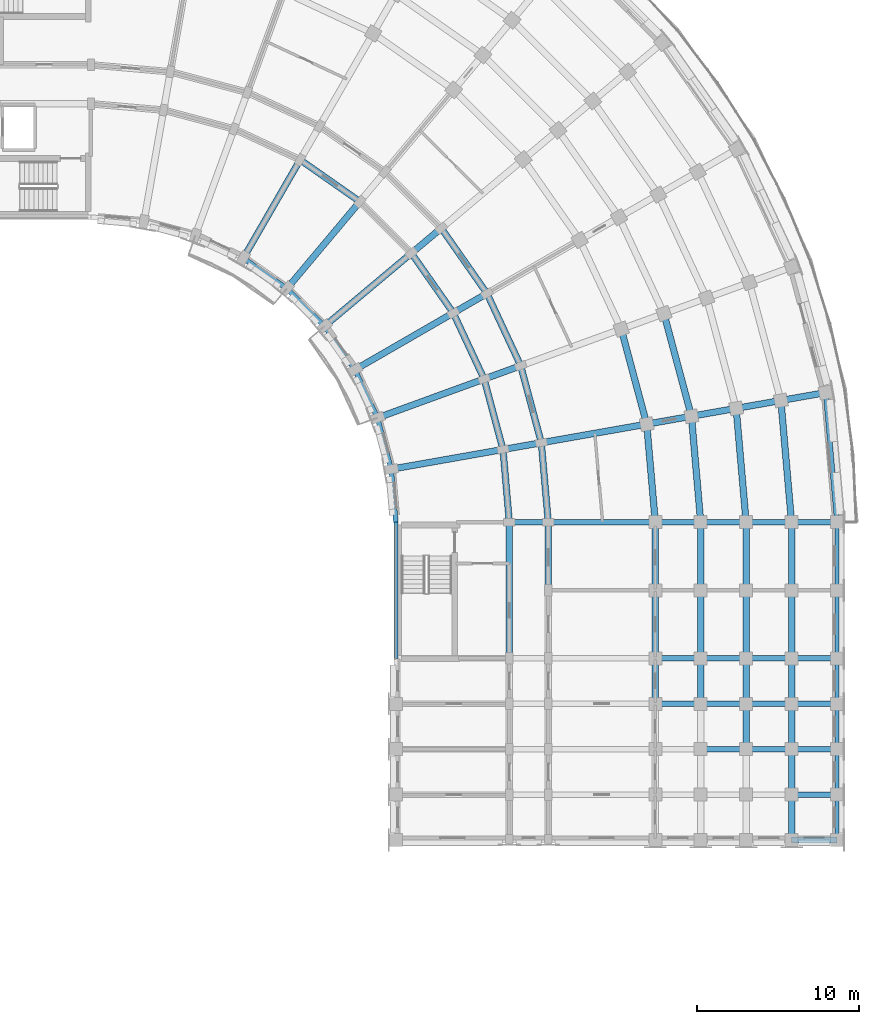
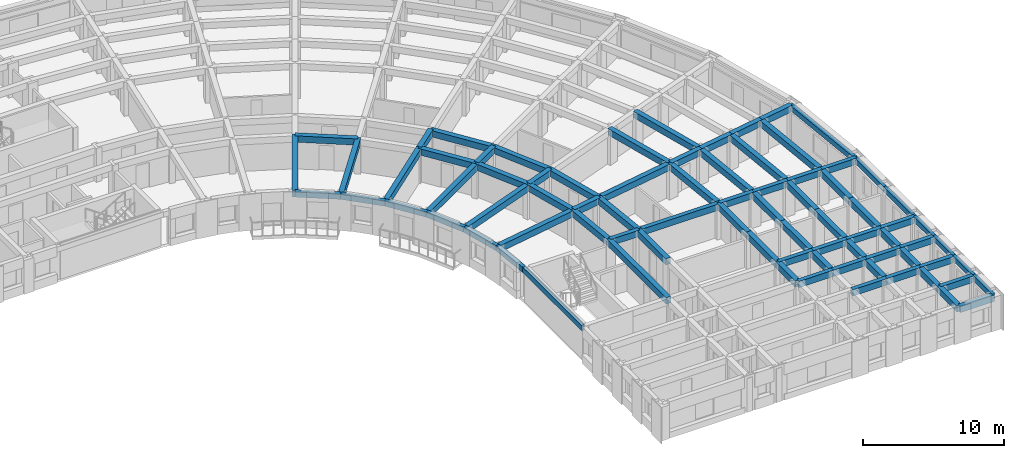
# One storey, part 11 of 54: 81 beams.
"""IFC4 building model written with IfcOpenShell, lengths in metres."""

from ifc_helpers import new_model, si_unit, direction, frame, origin, origin_2d, place, context, subcontext, project, spatial, rectangle, extrude, material, material_profile, profile_set, type_object, element, save


model = new_model("IFC4")

# Units and contexts
model_context = context("Model", 3, precision=1e-05, world=origin(), true_north=direction((0.0, 1.0)))
body_context = subcontext(model_context, "Body", "Model", "MODEL_VIEW")
ifc_project = project(units=[si_unit("LENGTHUNIT", "METRE"), si_unit("AREAUNIT", "SQUARE_METRE"), si_unit("VOLUMEUNIT", "CUBIC_METRE"), si_unit("PLANEANGLEUNIT", "RADIAN"), si_unit("MASSUNIT", "GRAM", prefix="KILO")], contexts=[model_context])

# Site, building, storey
site_placement = place(None, origin())
site = spatial("IfcSite", under=ifc_project, at=site_placement, CompositionType="ELEMENT")
building_placement = place(site_placement, origin())
building = spatial("IfcBuilding", under=site, at=building_placement, Name="Kiranvali Square Residences", CompositionType="ELEMENT")
storey_placement = place(building_placement, frame((0.0, 0.0, 15.0)))
storey = spatial("IfcBuildingStorey", under=building, at=storey_placement, Name="L04", CompositionType="ELEMENT", Elevation=15.0)

# Beams
ifc_material_1 = material(Name="Concrete M40 (40 MPa)", Category="concrete")
ifc_material_profile_1 = material_profile(ifc_material_1, rectangle(XDim=0.35009765625, YDim=0.550048828125, at=origin_2d()), Name="RC 350x550")
ifc_profile_set_1 = profile_set([ifc_material_profile_1], Name="Concrete M40 (40 MPa)")
beam_type_1 = type_object("IfcBeamType", Name="BM-M40-350x550", PredefinedType="BEAM", material=ifc_profile_set_1)
beam_1_placement = place(storey_placement, frame((145.60009765625, 87.800048828125, 2.655029296875), z_axis=(1.0, 0.0, 0.0), x_axis=(0.0, 1.0, 0.0)))
element("IfcBeam", 1, at=beam_1_placement, inside=storey, type_object=beam_type_1, Name="L04 beam BM-B-L04-A2T0-12", PredefinedType="BEAM", context=body_context, shape_type="SweptSolid", body=[
    extrude(rectangle(XDim=0.35009765625, YDim=0.550048828125, at=origin_2d()), origin(), (0.0, 0.0, 1.0), 2.39990234375),
])
beam_2_placement = place(storey_placement, frame((148.0, 87.800048828125, 2.655029296875), z_axis=(1.0, 0.0, 0.0), x_axis=(0.0, 1.0, 0.0)))
element("IfcBeam", 2, at=beam_2_placement, inside=storey, type_object=beam_type_1, Name="L04 beam BM-B-L04-A2T0-23", PredefinedType="BEAM", context=body_context, shape_type="SweptSolid", body=[
    extrude(rectangle(XDim=0.35009765625, YDim=0.550048828125, at=origin_2d()), origin(), (0.0, 0.0, 1.0), 6.60009765625),
])
beam_3_placement = place(storey_placement, frame((154.60009765625, 87.800048828125, 2.655029296875), z_axis=(1.0, 0.0, 0.0), x_axis=(0.0, 1.0, 0.0)))
element("IfcBeam", 3, at=beam_3_placement, inside=storey, type_object=beam_type_1, Name="L04 beam BM-B-L04-A2T0-34", PredefinedType="BEAM", context=body_context, shape_type="SweptSolid", body=[
    extrude(rectangle(XDim=0.35009765625, YDim=0.550048828125, at=origin_2d()), origin(), (0.0, 0.0, 1.0), 2.7998046875),
])
for number, where, z_axis, x_axis, name in (
    (4, (157.39990234375, 87.800048828125, 2.655029296875), (1.0, 0.0, 0.0), (0.0, 1.0, 0.0), "L04 beam BM-B-L04-A2T0-45"),
    (5, (160.199951171875, 87.800048828125, 2.655029296875), (1.0, 0.0, 0.0), (0.0, 1.0, 0.0), "L04 beam BM-B-L04-A2T0-56"),
    (6, (163.0, 87.800048828125, 2.655029296875), (1.0, 0.0, 0.0), (0.0, 1.0, 0.0), "L04 beam BM-B-L04-A2T0-67"),
):
    element("IfcBeam", number, at=place(storey_placement, frame(where, z_axis=z_axis, x_axis=x_axis)), inside=storey, type_object=beam_type_1, Name=name, PredefinedType="BEAM", context=body_context, shape_type="SweptSolid", body=[
        extrude(rectangle(XDim=0.35009765625, YDim=0.550048828125, at=origin_2d()), origin(), (0.0, 0.0, 1.0), 2.800048828125),
    ])
beam_4_placement = place(storey_placement, frame((154.60009765625, 79.39990234375, 2.655029296875), z_axis=(1.0, 0.0, 0.0), x_axis=(0.0, 1.0, 0.0)))
element("IfcBeam", 7, at=beam_4_placement, inside=storey, type_object=beam_type_1, Name="L04 beam BM-B-L04-A2T1-34", PredefinedType="BEAM", context=body_context, shape_type="SweptSolid", body=[
    extrude(rectangle(XDim=0.35009765625, YDim=0.550048828125, at=origin_2d()), origin(), (0.0, 0.0, 1.0), 2.7998046875),
])
for number, where, z_axis, x_axis, name in (
    (8, (157.39990234375, 79.39990234375, 2.655029296875), (1.0, 0.0, 0.0), (0.0, 1.0, 0.0), "L04 beam BM-B-L04-A2T1-45"),
    (9, (160.199951171875, 79.39990234375, 2.655029296875), (1.0, 0.0, 0.0), (0.0, 1.0, 0.0), "L04 beam BM-B-L04-A2T1-56"),
    (10, (163.0, 79.39990234375, 2.655029296875), (1.0, 0.0, 0.0), (0.0, 1.0, 0.0), "L04 beam BM-B-L04-A2T1-67"),
):
    element("IfcBeam", number, at=place(storey_placement, frame(where, z_axis=z_axis, x_axis=x_axis)), inside=storey, type_object=beam_type_1, Name=name, PredefinedType="BEAM", context=body_context, shape_type="SweptSolid", body=[
        extrude(rectangle(XDim=0.35009765625, YDim=0.550048828125, at=origin_2d()), origin(), (0.0, 0.0, 1.0), 2.800048828125),
    ])
beam_5_placement = place(storey_placement, frame((154.60009765625, 76.60009765625, 2.655029296875), z_axis=(1.0, 0.0, 0.0), x_axis=(0.0, 1.0, 0.0)))
element("IfcBeam", 11, at=beam_5_placement, inside=storey, type_object=beam_type_1, Name="L04 beam BM-B-L04-A2T2-34", PredefinedType="BEAM", context=body_context, shape_type="SweptSolid", body=[
    extrude(rectangle(XDim=0.35009765625, YDim=0.550048828125, at=origin_2d()), origin(), (0.0, 0.0, 1.0), 2.7998046875),
])
for number, where, z_axis, x_axis, name in (
    (12, (157.39990234375, 76.60009765625, 2.655029296875), (1.0, 0.0, 0.0), (0.0, 1.0, 0.0), "L04 beam BM-B-L04-A2T2-45"),
    (13, (160.199951171875, 76.60009765625, 2.655029296875), (1.0, 0.0, 0.0), (0.0, 1.0, 0.0), "L04 beam BM-B-L04-A2T2-56"),
    (14, (163.0, 76.60009765625, 2.655029296875), (1.0, 0.0, 0.0), (0.0, 1.0, 0.0), "L04 beam BM-B-L04-A2T2-67"),
    (15, (157.39990234375, 73.800048828125, 2.655029296875), (1.0, 0.0, 0.0), (0.0, 1.0, 0.0), "L04 beam BM-B-L04-A2T3-45"),
    (16, (160.199951171875, 73.800048828125, 2.655029296875), (1.0, 0.0, 0.0), (0.0, 1.0, 0.0), "L04 beam BM-B-L04-A2T3-56"),
    (17, (163.0, 73.800048828125, 2.655029296875), (1.0, 0.0, 0.0), (0.0, 1.0, 0.0), "L04 beam BM-B-L04-A2T3-67"),
    (18, (163.0, 71.0, 2.655029296875), (1.0, 0.0, 0.0), (0.0, 1.0, 0.0), "L04 beam BM-B-L04-A2T4-67"),
    (19, (163.0, 68.199951171875, 2.655029296875), (1.0, 0.0, 0.0), (0.0, 1.0, 0.0), "L04 beam BM-B-L04-A2T5-67"),
):
    element("IfcBeam", number, at=place(storey_placement, frame(where, z_axis=z_axis, x_axis=x_axis)), inside=storey, type_object=beam_type_1, Name=name, PredefinedType="BEAM", context=body_context, shape_type="SweptSolid", body=[
        extrude(rectangle(XDim=0.35009765625, YDim=0.550048828125, at=origin_2d()), origin(), (0.0, 0.0, 1.0), 2.800048828125),
    ])
ifc_material_2 = material(Name="Concrete M45 (45 MPa)", Category="concrete")
ifc_material_profile_2 = material_profile(ifc_material_2, rectangle(XDim=0.39990234375, YDim=0.550048828125, at=origin_2d()), Name="RC 400x550")
ifc_profile_set_2 = profile_set([ifc_material_profile_2], Name="Concrete M45 (45 MPa)")
beam_type_2 = type_object("IfcBeamType", Name="BM-M45-400x550", PredefinedType="BEAM", material=ifc_profile_set_2)
for number, where, z_axis, x_axis, name in (
    (20, (132.699951171875, 110.1435546875, 2.655029296875), (0.819155404658, -0.573571637217, 0.0), (0.573571637217, 0.819155404658, 0.0), "L04 beam BM-B-L04-C03-R1"),
    (21, (139.56396484375, 104.384033203125, 2.655029296875), (0.573571637217, -0.819155404658, 0.0), (0.819155404658, 0.573571637217, 0.0), "L04 beam BM-B-L04-C05-R1"),
):
    element("IfcBeam", number, at=place(storey_placement, frame(where, z_axis=z_axis, x_axis=x_axis)), inside=storey, type_object=beam_type_2, Name=name, PredefinedType="BEAM", context=body_context, shape_type="SweptSolid", body=[
        extrude(rectangle(XDim=0.39990234375, YDim=0.550048828125, at=origin_2d()), origin(), (0.0, 0.0, 1.0), 4.497314453125),
    ])
beam_6_placement = place(storey_placement, frame((141.40234375, 105.926513671875, 2.655029296875), z_axis=(0.573592335331, -0.819140911474, 0.0), x_axis=(0.819140911474, 0.573592335331, 0.0)))
element("IfcBeam", 22, at=beam_6_placement, inside=storey, type_object=beam_type_2, Name="L04 beam BM-B-L04-C05-R2", PredefinedType="BEAM", context=body_context, shape_type="SweptSolid", body=[
    extrude(rectangle(XDim=0.39990234375, YDim=0.550048828125, at=origin_2d()), origin(), (0.0, 0.0, 1.0), 4.915771484375),
])
beam_7_placement = place(storey_placement, frame((142.1435546875, 100.699951171875, 2.655029296875), z_axis=(0.422617978463, -0.906307919131, 0.0), x_axis=(0.906307919131, 0.422617978463, 0.0)))
element("IfcBeam", 23, at=beam_7_placement, inside=storey, type_object=beam_type_2, Name="L04 beam BM-B-L04-C06-R1", PredefinedType="BEAM", context=body_context, shape_type="SweptSolid", body=[
    extrude(rectangle(XDim=0.39990234375, YDim=0.550048828125, at=origin_2d()), origin(), (0.0, 0.0, 1.0), 4.497314453125),
])
beam_8_placement = place(storey_placement, frame((144.221923828125, 101.89990234375, 2.655029296875), z_axis=(0.422629854778, -0.906302381024, 0.0), x_axis=(0.906302381024, 0.422629854778, 0.0)))
element("IfcBeam", 24, at=beam_8_placement, inside=storey, type_object=beam_type_2, Name="L04 beam BM-B-L04-C06-R2", PredefinedType="BEAM", context=body_context, shape_type="SweptSolid", body=[
    extrude(rectangle(XDim=0.39990234375, YDim=0.550048828125, at=origin_2d()), origin(), (0.0, 0.0, 1.0), 4.915283203125),
])
beam_9_placement = place(storey_placement, frame((144.044189453125, 96.6240234375, 2.655029296875), z_axis=(0.258787642463, -0.965934240054, 0.0), x_axis=(0.965934240054, 0.258787642463, 0.0)))
element("IfcBeam", 25, at=beam_9_placement, inside=storey, type_object=beam_type_2, Name="L04 beam BM-B-L04-C07-R1", PredefinedType="BEAM", context=body_context, shape_type="SweptSolid", body=[
    extrude(rectangle(XDim=0.39990234375, YDim=0.550048828125, at=origin_2d()), origin(), (0.0, 0.0, 1.0), 4.497314453125),
])
beam_10_placement = place(storey_placement, frame((146.29931640625, 97.445068359375, 2.655029296875), z_axis=(0.258803112091, -0.965930095386, 0.0), x_axis=(0.965930095386, 0.258803112091, 0.0)))
element("IfcBeam", 26, at=beam_10_placement, inside=storey, type_object=beam_type_2, Name="L04 beam BM-B-L04-C07-R2", PredefinedType="BEAM", context=body_context, shape_type="SweptSolid", body=[
    extrude(rectangle(XDim=0.39990234375, YDim=0.550048828125, at=origin_2d()), origin(), (0.0, 0.0, 1.0), 4.915771484375),
])
beam_11_placement = place(storey_placement, frame((152.501220703125, 99.702392578125, 2.655029296875), z_axis=(0.258827283048, -0.965923618901, 0.0), x_axis=(0.965923618901, 0.258827283048, 0.0)))
element("IfcBeam", 27, at=beam_11_placement, inside=storey, type_object=beam_type_2, Name="L04 beam BM-B-L04-C07-R3", PredefinedType="BEAM", context=body_context, shape_type="SweptSolid", body=[
    extrude(rectangle(XDim=0.39990234375, YDim=0.550048828125, at=origin_2d()), origin(), (0.0, 0.0, 1.0), 6.066162109375),
])
beam_12_placement = place(storey_placement, frame((155.13232421875, 100.659912109375, 2.655029296875), z_axis=(0.258847178297, -0.965918287583, 0.0), x_axis=(0.965918287583, 0.258847178297, 0.0)))
element("IfcBeam", 28, at=beam_12_placement, inside=storey, type_object=beam_type_2, Name="L04 beam BM-B-L04-C07-R4", PredefinedType="BEAM", context=body_context, shape_type="SweptSolid", body=[
    extrude(rectangle(XDim=0.39990234375, YDim=0.550048828125, at=origin_2d()), origin(), (0.0, 0.0, 1.0), 6.55419921875),
])
beam_13_placement = place(storey_placement, frame((145.2080078125, 92.280029296875, 2.655029296875), z_axis=(0.087187153726, -0.996191949488, 0.0), x_axis=(0.996191949488, 0.087187153726, 0.0)))
element("IfcBeam", 29, at=beam_13_placement, inside=storey, type_object=beam_type_2, Name="L04 beam BM-B-L04-C08-R1", PredefinedType="BEAM", context=body_context, shape_type="SweptSolid", body=[
    extrude(rectangle(XDim=0.39990234375, YDim=0.550048828125, at=origin_2d()), origin(), (0.0, 0.0, 1.0), 4.4970703125),
])
beam_14_placement = place(storey_placement, frame((147.571533203125, 92.69677734375, 2.655029296875), z_axis=(0.087167566415, -0.996193663584, 0.0), x_axis=(0.996193663584, 0.087167566415, 0.0)))
element("IfcBeam", 30, at=beam_14_placement, inside=storey, type_object=beam_type_2, Name="L04 beam BM-B-L04-C08-R2", PredefinedType="BEAM", context=body_context, shape_type="SweptSolid", body=[
    extrude(rectangle(XDim=0.39990234375, YDim=0.550048828125, at=origin_2d()), origin(), (0.0, 0.0, 1.0), 4.91552734375),
])
beam_15_placement = place(storey_placement, frame((154.0712890625, 93.843017578125, 2.655029296875), z_axis=(0.087174938512, -0.996193018494, 0.0), x_axis=(0.996193018494, 0.087174938512, 0.0)))
element("IfcBeam", 31, at=beam_15_placement, inside=storey, type_object=beam_type_2, Name="L04 beam BM-B-L04-C08-R3", PredefinedType="BEAM", context=body_context, shape_type="SweptSolid", body=[
    extrude(rectangle(XDim=0.39990234375, YDim=0.550048828125, at=origin_2d()), origin(), (0.0, 0.0, 1.0), 6.066162109375),
])
beam_16_placement = place(storey_placement, frame((156.828857421875, 94.3291015625, 2.655029296875), z_axis=(0.0871295204, -0.996196991902, 0.0), x_axis=(0.996196991902, 0.0871295204, 0.0)))
element("IfcBeam", 32, at=beam_16_placement, inside=storey, type_object=beam_type_2, Name="L04 beam BM-B-L04-C08-R4", PredefinedType="BEAM", context=body_context, shape_type="SweptSolid", body=[
    extrude(rectangle(XDim=0.39990234375, YDim=0.550048828125, at=origin_2d()), origin(), (0.0, 0.0, 1.0), 6.553955078125),
])
beam_17_placement = place(storey_placement, frame((159.586181640625, 94.8154296875, 2.655029296875), z_axis=(0.087156198737, -0.996194658198, 0.0), x_axis=(0.996194658198, 0.087156198737, 0.0)))
element("IfcBeam", 33, at=beam_17_placement, inside=storey, type_object=beam_type_2, Name="L04 beam BM-B-L04-C08-R5", PredefinedType="BEAM", context=body_context, shape_type="SweptSolid", body=[
    extrude(rectangle(XDim=0.39990234375, YDim=0.550048828125, at=origin_2d()), origin(), (0.0, 0.0, 1.0), 7.042236328125),
])
beam_18_placement = place(storey_placement, frame((162.34375, 95.301513671875, 2.655029296875), z_axis=(0.087150058103, -0.996195195417, 0.0), x_axis=(0.996195195417, 0.087150058103, 0.0)))
element("IfcBeam", 34, at=beam_18_placement, inside=storey, type_object=beam_type_2, Name="L04 beam BM-B-L04-C08-R6", PredefinedType="BEAM", context=body_context, shape_type="SweptSolid", body=[
    extrude(rectangle(XDim=0.39990234375, YDim=0.550048828125, at=origin_2d()), origin(), (0.0, 0.0, 1.0), 7.530029296875),
])
for number, where, z_axis, x_axis, name in (
    (35, (129.199951171875, 104.081298828125, 2.655029296875), (0.499995173006, 0.866028190633, 0.0), (-0.866028190633, 0.499995173006, 0.0), "L04 beam BM-B-L04-RAD03-01"),
    (36, (131.884521484375, 102.20166015625, 2.655029296875), (0.642787931032, 0.766044173478, 0.0), (-0.766044173478, 0.642787931032, 0.0), "L04 beam BM-B-L04-RAD04-01"),
    (37, (134.20166015625, 99.884521484375, 2.655029296875), (0.766044173478, 0.642787931032, 0.0), (-0.642787931032, 0.766044173478, 0.0), "L04 beam BM-B-L04-RAD05-01"),
):
    element("IfcBeam", number, at=place(storey_placement, frame(where, z_axis=z_axis, x_axis=x_axis)), inside=storey, type_object=beam_type_2, Name=name, PredefinedType="BEAM", context=body_context, shape_type="SweptSolid", body=[
        extrude(rectangle(XDim=0.39990234375, YDim=0.550048828125, at=origin_2d()), origin(), (0.0, 0.0, 1.0), 7.0),
    ])
beam_19_placement = place(storey_placement, frame((139.56396484375, 104.384033203125, 2.655029296875), z_axis=(0.766065493671, 0.642762521781, 0.0), x_axis=(-0.642762521781, 0.766065493671, 0.0)))
element("IfcBeam", 38, at=beam_19_placement, inside=storey, type_object=beam_type_2, Name="L04 beam BM-B-L04-RAD05-12", PredefinedType="BEAM", context=body_context, shape_type="SweptSolid", body=[
    extrude(rectangle(XDim=0.39990234375, YDim=0.550048828125, at=origin_2d()), origin(), (0.0, 0.0, 1.0), 2.399658203125),
])
beam_20_placement = place(storey_placement, frame((136.081298828125, 97.199951171875, 2.655029296875), z_axis=(0.866028190633, 0.499995173006, 0.0), x_axis=(-0.499995173006, 0.866028190633, 0.0)))
element("IfcBeam", 39, at=beam_20_placement, inside=storey, type_object=beam_type_2, Name="L04 beam BM-B-L04-RAD06-01", PredefinedType="BEAM", context=body_context, shape_type="SweptSolid", body=[
    extrude(rectangle(XDim=0.39990234375, YDim=0.550048828125, at=origin_2d()), origin(), (0.0, 0.0, 1.0), 7.0),
])
beam_21_placement = place(storey_placement, frame((142.1435546875, 100.699951171875, 2.655029296875), z_axis=(0.866024647952, 0.500001309137, 0.0), x_axis=(-0.500001309137, 0.866024647952, 0.0)))
element("IfcBeam", 40, at=beam_21_placement, inside=storey, type_object=beam_type_2, Name="L04 beam BM-B-L04-RAD06-12", PredefinedType="BEAM", context=body_context, shape_type="SweptSolid", body=[
    extrude(rectangle(XDim=0.39990234375, YDim=0.550048828125, at=origin_2d()), origin(), (0.0, 0.0, 1.0), 2.39990234375),
])
beam_22_placement = place(storey_placement, frame((137.46630859375, 94.22998046875, 2.655029296875), z_axis=(0.939697665127, 0.342006283793, 0.0), x_axis=(-0.342006283793, 0.939697665127, 0.0)))
element("IfcBeam", 41, at=beam_22_placement, inside=storey, type_object=beam_type_2, Name="L04 beam BM-B-L04-RAD07-01", PredefinedType="BEAM", context=body_context, shape_type="SweptSolid", body=[
    extrude(rectangle(XDim=0.39990234375, YDim=0.550048828125, at=origin_2d()), origin(), (0.0, 0.0, 1.0), 7.0),
])
beam_23_placement = place(storey_placement, frame((144.044189453125, 96.6240234375, 2.655029296875), z_axis=(0.939659694648, 0.342110593602, 0.0), x_axis=(-0.342110593602, 0.939659694648, 0.0)))
element("IfcBeam", 42, at=beam_23_placement, inside=storey, type_object=beam_type_2, Name="L04 beam BM-B-L04-RAD07-12", PredefinedType="BEAM", context=body_context, shape_type="SweptSolid", body=[
    extrude(rectangle(XDim=0.39990234375, YDim=0.550048828125, at=origin_2d()), origin(), (0.0, 0.0, 1.0), 2.39990234375),
])
beam_24_placement = place(storey_placement, frame((138.314453125, 91.064697265625, 2.655029296875), z_axis=(0.984812337125, 0.173622177865, 0.0), x_axis=(-0.173622177865, 0.984812337125, 0.0)))
element("IfcBeam", 43, at=beam_24_placement, inside=storey, type_object=beam_type_2, Name="L04 beam BM-B-L04-RAD08-01", PredefinedType="BEAM", context=body_context, shape_type="SweptSolid", body=[
    extrude(rectangle(XDim=0.39990234375, YDim=0.550048828125, at=origin_2d()), origin(), (0.0, 0.0, 1.0), 6.999755859375),
])
beam_25_placement = place(storey_placement, frame((145.2080078125, 92.280029296875, 2.655029296875), z_axis=(0.984808127031, 0.173646056486, 0.0), x_axis=(-0.173646056486, 0.984808127031, 0.0)))
element("IfcBeam", 44, at=beam_25_placement, inside=storey, type_object=beam_type_2, Name="L04 beam BM-B-L04-RAD08-12", PredefinedType="BEAM", context=body_context, shape_type="SweptSolid", body=[
    extrude(rectangle(XDim=0.39990234375, YDim=0.550048828125, at=origin_2d()), origin(), (0.0, 0.0, 1.0), 2.39990234375),
])
beam_26_placement = place(storey_placement, frame((147.571533203125, 92.69677734375, 2.655029296875), z_axis=(0.984803661269, 0.173671381499, 0.0), x_axis=(-0.173671381499, 0.984803661269, 0.0)))
element("IfcBeam", 45, at=beam_26_placement, inside=storey, type_object=beam_type_2, Name="L04 beam BM-B-L04-RAD08-23", PredefinedType="BEAM", context=body_context, shape_type="SweptSolid", body=[
    extrude(rectangle(XDim=0.39990234375, YDim=0.550048828125, at=origin_2d()), origin(), (0.0, 0.0, 1.0), 6.60009765625),
])
beam_27_placement = place(storey_placement, frame((154.0712890625, 93.843017578125, 2.655029296875), z_axis=(0.984816895441, 0.173596320392, 0.0), x_axis=(-0.173596320392, 0.984816895441, 0.0)))
element("IfcBeam", 46, at=beam_27_placement, inside=storey, type_object=beam_type_2, Name="L04 beam BM-B-L04-RAD08-34", PredefinedType="BEAM", context=body_context, shape_type="SweptSolid", body=[
    extrude(rectangle(XDim=0.39990234375, YDim=0.550048828125, at=origin_2d()), origin(), (0.0, 0.0, 1.0), 2.800048828125),
])
beam_28_placement = place(storey_placement, frame((156.828857421875, 94.3291015625, 2.655029296875), z_axis=(0.984799355489, 0.173695795656, 0.0), x_axis=(-0.173695795656, 0.984799355489, 0.0)))
element("IfcBeam", 47, at=beam_28_placement, inside=storey, type_object=beam_type_2, Name="L04 beam BM-B-L04-RAD08-45", PredefinedType="BEAM", context=body_context, shape_type="SweptSolid", body=[
    extrude(rectangle(XDim=0.39990234375, YDim=0.550048828125, at=origin_2d()), origin(), (0.0, 0.0, 1.0), 2.7998046875),
])
beam_29_placement = place(storey_placement, frame((159.586181640625, 94.8154296875, 2.655029296875), z_axis=(0.984816895441, 0.173596320392, 0.0), x_axis=(-0.173596320392, 0.984816895441, 0.0)))
element("IfcBeam", 48, at=beam_29_placement, inside=storey, type_object=beam_type_2, Name="L04 beam BM-B-L04-RAD08-56", PredefinedType="BEAM", context=body_context, shape_type="SweptSolid", body=[
    extrude(rectangle(XDim=0.39990234375, YDim=0.550048828125, at=origin_2d()), origin(), (0.0, 0.0, 1.0), 2.800048828125),
])
beam_30_placement = place(storey_placement, frame((162.34375, 95.301513671875, 2.655029296875), z_axis=(0.984799355489, 0.173695795656, 0.0), x_axis=(-0.173695795656, 0.984799355489, 0.0)))
element("IfcBeam", 49, at=beam_30_placement, inside=storey, type_object=beam_type_2, Name="L04 beam BM-B-L04-RAD08-67", PredefinedType="BEAM", context=body_context, shape_type="SweptSolid", body=[
    extrude(rectangle(XDim=0.39990234375, YDim=0.550048828125, at=origin_2d()), origin(), (0.0, 0.0, 1.0), 2.7998046875),
])
beam_31_placement = place(storey_placement, frame((145.60009765625, 87.800048828125, 2.655029296875), z_axis=(0.0, -1.0, 0.0), x_axis=(1.0, 0.0, 0.0)))
element("IfcBeam", 50, at=beam_31_placement, inside=storey, type_object=beam_type_2, Name="L04 beam BM-B-L04-A2V0-R1", PredefinedType="BEAM", context=body_context, shape_type="SweptSolid", body=[
    extrude(rectangle(XDim=0.39990234375, YDim=0.550048828125, at=origin_2d()), origin(), (0.0, 0.0, 1.0), 8.400146484375),
])
for number, where, z_axis, x_axis, name in (
    (51, (148.0, 87.800048828125, 2.655029296875), (0.0, -1.0, 0.0), (1.0, 0.0, 0.0), "L04 beam BM-B-L04-A2V0-R2"),
    (52, (154.60009765625, 87.800048828125, 2.655029296875), (0.0, -1.0, 0.0), (1.0, 0.0, 0.0), "L04 beam BM-B-L04-A2V0-R3"),
):
    element("IfcBeam", number, at=place(storey_placement, frame(where, z_axis=z_axis, x_axis=x_axis)), inside=storey, type_object=beam_type_2, Name=name, PredefinedType="BEAM", context=body_context, shape_type="SweptSolid", body=[
        extrude(rectangle(XDim=0.39990234375, YDim=0.550048828125, at=origin_2d()), origin(), (0.0, 0.0, 1.0), 4.199951171875),
    ])
beam_32_placement = place(storey_placement, frame((154.60009765625, 83.60009765625, 2.655029296875), z_axis=(0.0, -1.0, 0.0), x_axis=(1.0, 0.0, 0.0)))
element("IfcBeam", 53, at=beam_32_placement, inside=storey, type_object=beam_type_2, Name="L04 beam BM-B-L04-A2V1-R3", PredefinedType="BEAM", context=body_context, shape_type="SweptSolid", body=[
    extrude(rectangle(XDim=0.39990234375, YDim=0.550048828125, at=origin_2d()), origin(), (0.0, 0.0, 1.0), 4.2001953125),
])
beam_33_placement = place(storey_placement, frame((154.60009765625, 79.39990234375, 2.655029296875), z_axis=(0.0, -1.0, 0.0), x_axis=(1.0, 0.0, 0.0)))
element("IfcBeam", 54, at=beam_33_placement, inside=storey, type_object=beam_type_2, Name="L04 beam BM-B-L04-A2V2-R3", PredefinedType="BEAM", context=body_context, shape_type="SweptSolid", body=[
    extrude(rectangle(XDim=0.39990234375, YDim=0.550048828125, at=origin_2d()), origin(), (0.0, 0.0, 1.0), 2.7998046875),
])
beam_34_placement = place(storey_placement, frame((157.39990234375, 87.800048828125, 2.655029296875), z_axis=(0.0, -1.0, 0.0), x_axis=(1.0, 0.0, 0.0)))
element("IfcBeam", 55, at=beam_34_placement, inside=storey, type_object=beam_type_2, Name="L04 beam BM-B-L04-A2V0-R4", PredefinedType="BEAM", context=body_context, shape_type="SweptSolid", body=[
    extrude(rectangle(XDim=0.39990234375, YDim=0.550048828125, at=origin_2d()), origin(), (0.0, 0.0, 1.0), 4.199951171875),
])
beam_35_placement = place(storey_placement, frame((157.39990234375, 83.60009765625, 2.655029296875), z_axis=(0.0, -1.0, 0.0), x_axis=(1.0, 0.0, 0.0)))
element("IfcBeam", 56, at=beam_35_placement, inside=storey, type_object=beam_type_2, Name="L04 beam BM-B-L04-A2V1-R4", PredefinedType="BEAM", context=body_context, shape_type="SweptSolid", body=[
    extrude(rectangle(XDim=0.39990234375, YDim=0.550048828125, at=origin_2d()), origin(), (0.0, 0.0, 1.0), 4.2001953125),
])
beam_36_placement = place(storey_placement, frame((157.39990234375, 79.39990234375, 2.655029296875), z_axis=(0.0, -1.0, 0.0), x_axis=(1.0, 0.0, 0.0)))
element("IfcBeam", 57, at=beam_36_placement, inside=storey, type_object=beam_type_2, Name="L04 beam BM-B-L04-A2V2-R4", PredefinedType="BEAM", context=body_context, shape_type="SweptSolid", body=[
    extrude(rectangle(XDim=0.39990234375, YDim=0.550048828125, at=origin_2d()), origin(), (0.0, 0.0, 1.0), 2.7998046875),
])
beam_37_placement = place(storey_placement, frame((160.199951171875, 87.800048828125, 2.655029296875), z_axis=(0.0, -1.0, 0.0), x_axis=(1.0, 0.0, 0.0)))
element("IfcBeam", 58, at=beam_37_placement, inside=storey, type_object=beam_type_2, Name="L04 beam BM-B-L04-A2V0-R5", PredefinedType="BEAM", context=body_context, shape_type="SweptSolid", body=[
    extrude(rectangle(XDim=0.39990234375, YDim=0.550048828125, at=origin_2d()), origin(), (0.0, 0.0, 1.0), 4.199951171875),
])
beam_38_placement = place(storey_placement, frame((160.199951171875, 83.60009765625, 2.655029296875), z_axis=(0.0, -1.0, 0.0), x_axis=(1.0, 0.0, 0.0)))
element("IfcBeam", 59, at=beam_38_placement, inside=storey, type_object=beam_type_2, Name="L04 beam BM-B-L04-A2V1-R5", PredefinedType="BEAM", context=body_context, shape_type="SweptSolid", body=[
    extrude(rectangle(XDim=0.39990234375, YDim=0.550048828125, at=origin_2d()), origin(), (0.0, 0.0, 1.0), 4.2001953125),
])
beam_39_placement = place(storey_placement, frame((160.199951171875, 79.39990234375, 2.655029296875), z_axis=(0.0, -1.0, 0.0), x_axis=(1.0, 0.0, 0.0)))
element("IfcBeam", 60, at=beam_39_placement, inside=storey, type_object=beam_type_2, Name="L04 beam BM-B-L04-A2V2-R5", PredefinedType="BEAM", context=body_context, shape_type="SweptSolid", body=[
    extrude(rectangle(XDim=0.39990234375, YDim=0.550048828125, at=origin_2d()), origin(), (0.0, 0.0, 1.0), 2.7998046875),
])
beam_40_placement = place(storey_placement, frame((160.199951171875, 76.60009765625, 2.655029296875), z_axis=(0.0, -1.0, 0.0), x_axis=(1.0, 0.0, 0.0)))
element("IfcBeam", 61, at=beam_40_placement, inside=storey, type_object=beam_type_2, Name="L04 beam BM-B-L04-A2V3-R5", PredefinedType="BEAM", context=body_context, shape_type="SweptSolid", body=[
    extrude(rectangle(XDim=0.39990234375, YDim=0.550048828125, at=origin_2d()), origin(), (0.0, 0.0, 1.0), 2.800048828125),
])
beam_41_placement = place(storey_placement, frame((163.0, 87.800048828125, 2.655029296875), z_axis=(0.0, -1.0, 0.0), x_axis=(1.0, 0.0, 0.0)))
element("IfcBeam", 62, at=beam_41_placement, inside=storey, type_object=beam_type_2, Name="L04 beam BM-B-L04-A2V0-R6", PredefinedType="BEAM", context=body_context, shape_type="SweptSolid", body=[
    extrude(rectangle(XDim=0.39990234375, YDim=0.550048828125, at=origin_2d()), origin(), (0.0, 0.0, 1.0), 4.199951171875),
])
beam_42_placement = place(storey_placement, frame((163.0, 83.60009765625, 2.655029296875), z_axis=(0.0, -1.0, 0.0), x_axis=(1.0, 0.0, 0.0)))
element("IfcBeam", 63, at=beam_42_placement, inside=storey, type_object=beam_type_2, Name="L04 beam BM-B-L04-A2V1-R6", PredefinedType="BEAM", context=body_context, shape_type="SweptSolid", body=[
    extrude(rectangle(XDim=0.39990234375, YDim=0.550048828125, at=origin_2d()), origin(), (0.0, 0.0, 1.0), 4.2001953125),
])
beam_43_placement = place(storey_placement, frame((163.0, 79.39990234375, 2.655029296875), z_axis=(0.0, -1.0, 0.0), x_axis=(1.0, 0.0, 0.0)))
element("IfcBeam", 64, at=beam_43_placement, inside=storey, type_object=beam_type_2, Name="L04 beam BM-B-L04-A2V2-R6", PredefinedType="BEAM", context=body_context, shape_type="SweptSolid", body=[
    extrude(rectangle(XDim=0.39990234375, YDim=0.550048828125, at=origin_2d()), origin(), (0.0, 0.0, 1.0), 2.7998046875),
])
for number, where, z_axis, x_axis, name in (
    (65, (163.0, 76.60009765625, 2.655029296875), (0.0, -1.0, 0.0), (1.0, 0.0, 0.0), "L04 beam BM-B-L04-A2V3-R6"),
    (66, (163.0, 73.800048828125, 2.655029296875), (0.0, -1.0, 0.0), (1.0, 0.0, 0.0), "L04 beam BM-B-L04-A2V4-R6"),
    (67, (163.0, 71.0, 2.655029296875), (0.0, -1.0, 0.0), (1.0, 0.0, 0.0), "L04 beam BM-B-L04-A2V5-R6"),
):
    element("IfcBeam", number, at=place(storey_placement, frame(where, z_axis=z_axis, x_axis=x_axis)), inside=storey, type_object=beam_type_2, Name=name, PredefinedType="BEAM", context=body_context, shape_type="SweptSolid", body=[
        extrude(rectangle(XDim=0.39990234375, YDim=0.550048828125, at=origin_2d()), origin(), (0.0, 0.0, 1.0), 2.800048828125),
    ])
ifc_material_profile_3 = material_profile(ifc_material_1, rectangle(XDim=0.25, YDim=0.449951171875, at=origin_2d()), Name="RC 250x450")
ifc_profile_set_3 = profile_set([ifc_material_profile_3], Name="Concrete M40 (40 MPa)")
beam_type_3 = type_object("IfcBeamType", Name="SPN-M40-250x450", PredefinedType="SPANDREL", material=ifc_profile_set_3)
beam_44_placement = place(storey_placement, frame((138.60009765625, 87.800048828125, 2.705078125), z_axis=(0.0, -1.0, 0.0), x_axis=(1.0, 0.0, 0.0)))
element("IfcBeam", 68, at=beam_44_placement, inside=storey, type_object=beam_type_3, Name="L04 beam BM-B-L04-A2V0-R0", PredefinedType="SPANDREL", context=body_context, shape_type="SweptSolid", body=[
    extrude(rectangle(XDim=0.25, YDim=0.449951171875, at=origin_2d()), origin(), (0.0, 0.0, 1.0), 8.400146484375),
])
beam_45_placement = place(storey_placement, frame((165.800048828125, 87.800048828125, 2.705078125), z_axis=(0.0, -1.0, 0.0), x_axis=(1.0, 0.0, 0.0)))
element("IfcBeam", 69, at=beam_45_placement, inside=storey, type_object=beam_type_3, Name="L04 beam BM-B-L04-A2V0-R7", PredefinedType="SPANDREL", context=body_context, shape_type="SweptSolid", body=[
    extrude(rectangle(XDim=0.25, YDim=0.449951171875, at=origin_2d()), origin(), (0.0, 0.0, 1.0), 4.199951171875),
])
beam_46_placement = place(storey_placement, frame((165.800048828125, 83.60009765625, 2.705078125), z_axis=(0.0, -1.0, 0.0), x_axis=(1.0, 0.0, 0.0)))
element("IfcBeam", 70, at=beam_46_placement, inside=storey, type_object=beam_type_3, Name="L04 beam BM-B-L04-A2V1-R7", PredefinedType="SPANDREL", context=body_context, shape_type="SweptSolid", body=[
    extrude(rectangle(XDim=0.25, YDim=0.449951171875, at=origin_2d()), origin(), (0.0, 0.0, 1.0), 4.2001953125),
])
beam_47_placement = place(storey_placement, frame((165.800048828125, 79.39990234375, 2.705078125), z_axis=(0.0, -1.0, 0.0), x_axis=(1.0, 0.0, 0.0)))
element("IfcBeam", 71, at=beam_47_placement, inside=storey, type_object=beam_type_3, Name="L04 beam BM-B-L04-A2V2-R7", PredefinedType="SPANDREL", context=body_context, shape_type="SweptSolid", body=[
    extrude(rectangle(XDim=0.25, YDim=0.449951171875, at=origin_2d()), origin(), (0.0, 0.0, 1.0), 2.7998046875),
])
for number, where, z_axis, x_axis, name in (
    (72, (165.800048828125, 76.60009765625, 2.705078125), (0.0, -1.0, 0.0), (1.0, 0.0, 0.0), "L04 beam BM-B-L04-A2V3-R7"),
    (73, (165.800048828125, 73.800048828125, 2.705078125), (0.0, -1.0, 0.0), (1.0, 0.0, 0.0), "L04 beam BM-B-L04-A2V4-R7"),
    (74, (165.800048828125, 71.0, 2.705078125), (0.0, -1.0, 0.0), (1.0, 0.0, 0.0), "L04 beam BM-B-L04-A2V5-R7"),
):
    element("IfcBeam", number, at=place(storey_placement, frame(where, z_axis=z_axis, x_axis=x_axis)), inside=storey, type_object=beam_type_3, Name=name, PredefinedType="SPANDREL", context=body_context, shape_type="SweptSolid", body=[
        extrude(rectangle(XDim=0.25, YDim=0.449951171875, at=origin_2d()), origin(), (0.0, 0.0, 1.0), 2.800048828125),
    ])
ifc_material_profile_4 = material_profile(ifc_material_1, rectangle(XDim=0.300048828125, YDim=0.449951171875, at=origin_2d()), Name="RC 300x450")
ifc_profile_set_4 = profile_set([ifc_material_profile_4], Name="Concrete M40 (40 MPa)")
beam_type_4 = type_object("IfcBeamType", Name="SPN-M40-300x450", PredefinedType="SPANDREL", material=ifc_profile_set_4)
beam_48_placement = place(storey_placement, frame((129.199951171875, 104.081298828125, 2.705078125), z_axis=(0.81916891812, -0.573552337269, 0.0), x_axis=(0.573552337269, 0.81916891812, 0.0)))
element("IfcBeam", 75, at=beam_48_placement, inside=storey, type_object=beam_type_4, Name="L04 beam BM-B-L04-C03-R0", PredefinedType="SPANDREL", context=body_context, shape_type="SweptSolid", body=[
    extrude(rectangle(XDim=0.300048828125, YDim=0.449951171875, at=origin_2d()), origin(), (0.0, 0.0, 1.0), 3.277099609375),
])
beam_49_placement = place(storey_placement, frame((131.884521484375, 102.20166015625, 2.705078125), z_axis=(0.707106781187, -0.707106781187, 0.0), x_axis=(0.707106781187, 0.707106781187, 0.0)))
element("IfcBeam", 76, at=beam_49_placement, inside=storey, type_object=beam_type_4, Name="L04 beam BM-B-L04-C04-R0", PredefinedType="SPANDREL", context=body_context, shape_type="SweptSolid", body=[
    extrude(rectangle(XDim=0.300048828125, YDim=0.449951171875, at=origin_2d()), origin(), (0.0, 0.0, 1.0), 3.27685546875),
])
for number, where, z_axis, x_axis, name in (
    (77, (134.20166015625, 99.884521484375, 2.705078125), (0.573552337269, -0.81916891812, 0.0), (0.81916891812, 0.573552337269, 0.0), "L04 beam BM-B-L04-C05-R0"),
    (78, (136.081298828125, 97.199951171875, 2.705078125), (0.422640740585, -0.90629730464, 0.0), (0.90629730464, 0.422640740585, 0.0), "L04 beam BM-B-L04-C06-R0"),
):
    element("IfcBeam", number, at=place(storey_placement, frame(where, z_axis=z_axis, x_axis=x_axis)), inside=storey, type_object=beam_type_4, Name=name, PredefinedType="SPANDREL", context=body_context, shape_type="SweptSolid", body=[
        extrude(rectangle(XDim=0.300048828125, YDim=0.449951171875, at=origin_2d()), origin(), (0.0, 0.0, 1.0), 3.277099609375),
    ])
beam_50_placement = place(storey_placement, frame((137.46630859375, 94.22998046875, 2.705078125), z_axis=(0.258821736607, -0.965925105099, 0.0), x_axis=(0.965925105099, 0.258821736607, 0.0)))
element("IfcBeam", 79, at=beam_50_placement, inside=storey, type_object=beam_type_4, Name="L04 beam BM-B-L04-C07-R0", PredefinedType="SPANDREL", context=body_context, shape_type="SweptSolid", body=[
    extrude(rectangle(XDim=0.300048828125, YDim=0.449951171875, at=origin_2d()), origin(), (0.0, 0.0, 1.0), 3.27685546875),
])
beam_51_placement = place(storey_placement, frame((138.314453125, 91.064697265625, 2.705078125), z_axis=(0.087163253657, -0.996194040944, 0.0), x_axis=(0.996194040944, 0.087163253657, 0.0)))
element("IfcBeam", 80, at=beam_51_placement, inside=storey, type_object=beam_type_4, Name="L04 beam BM-B-L04-C08-R0", PredefinedType="SPANDREL", context=body_context, shape_type="SweptSolid", body=[
    extrude(rectangle(XDim=0.300048828125, YDim=0.449951171875, at=origin_2d()), origin(), (0.0, 0.0, 1.0), 3.277099609375),
])
beam_52_placement = place(storey_placement, frame((165.10107421875, 95.787841796875, 2.705078125), z_axis=(0.087172238171, -0.996193254792, 0.0), x_axis=(0.996193254792, 0.087172238171, 0.0)))
element("IfcBeam", 81, at=beam_52_placement, inside=storey, type_object=beam_type_4, Name="L04 beam BM-B-L04-C08-R7", PredefinedType="SPANDREL", context=body_context, shape_type="SweptSolid", body=[
    extrude(rectangle(XDim=0.300048828125, YDim=0.449951171875, at=origin_2d()), origin(), (0.0, 0.0, 1.0), 8.018310546875),
])

save(model, "model.ifc")
